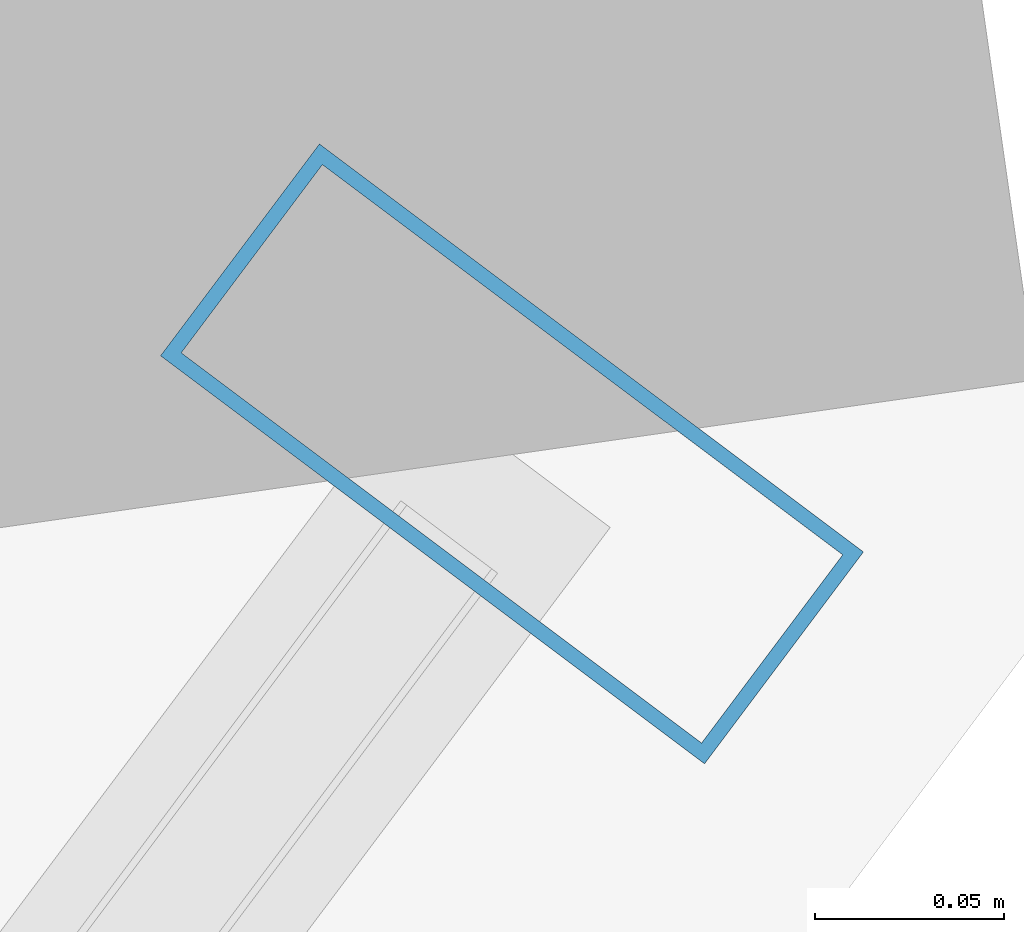
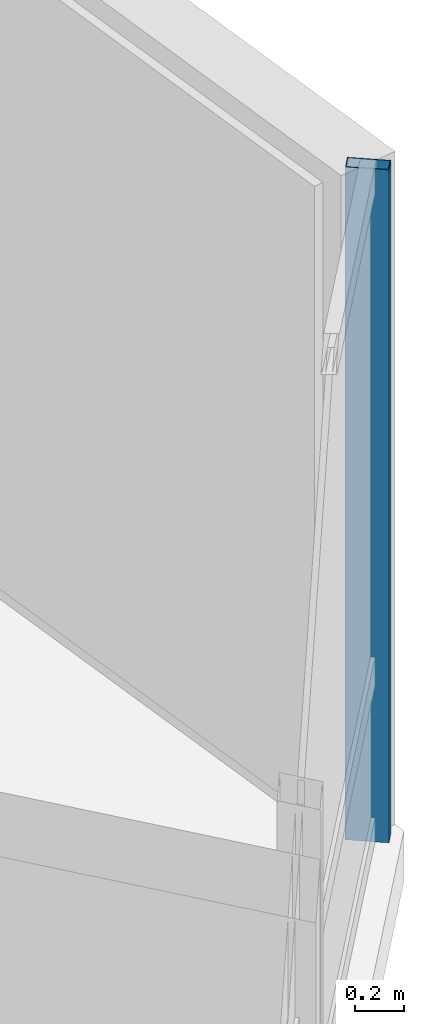
# One storey, part 12 of 31: 1 member, 1 element without a shape of its own.
"""IFC4 building model written with IfcOpenShell, lengths in metres."""

from ifc_helpers import new_model, si_unit, direction, frame, origin, origin_2d, place, context, subcontext, project, spatial, hollow_rectangle, extrude, material, layer, layer_set, material_profile, profile_set, type_object, element, aggregate, save


model = new_model("IFC4")

# Units and contexts
model_context = context("Model", 3, precision=1e-05, world=origin(), true_north=direction((0.0, 1.0)))
body_context = subcontext(model_context, "Body", "Model", "MODEL_VIEW")
ifc_project = project(units=[si_unit("LENGTHUNIT", "METRE"), si_unit("AREAUNIT", "SQUARE_METRE"), si_unit("VOLUMEUNIT", "CUBIC_METRE"), si_unit("PLANEANGLEUNIT", "RADIAN"), si_unit("MASSUNIT", "GRAM", prefix="KILO")], contexts=[model_context])

# Site, building, storey
site_placement = place(None, origin())
site = spatial("IfcSite", under=ifc_project, at=site_placement, CompositionType="ELEMENT")
building_placement = place(site_placement, origin())
building = spatial("IfcBuilding", under=site, at=building_placement, Name="Hatsunagi Terrace Concourse", CompositionType="ELEMENT")
storey_placement = place(building_placement, frame((0.0, 0.0, 122.85009765625)))
storey = spatial("IfcBuildingStorey", under=building, at=storey_placement, Name="L32", CompositionType="ELEMENT", Elevation=122.85009765625)

# Curtain wall, member
ifc_material_1 = material(Name="Anodised Aluminium Alloy 6063-T5", Category="aluminium")
ifc_layer = layer(ifc_material_1, 0.199951171875)
ifc_layer_set = layer_set([ifc_layer], Name="OfficeZone1_CW03")
curtain_wall_type = type_object("IfcCurtainWallType", Name="OfficeZone1_CW03", PredefinedType="NOTDEFINED", material=ifc_layer_set)
curtain_wall_placement = place(storey_placement, origin())
curtain_wall = element("IfcCurtainWall", 1, at=curtain_wall_placement, inside=storey, type_object=curtain_wall_type, Name="Unitised Curtain Wall CW-03 CW-L32-03", PredefinedType="NOTDEFINED")
ifc_material_2 = material(Name="Anodised Aluminium Alloy 6063-T5", Category="aluminium")
ifc_material_profile = material_profile(ifc_material_2, hollow_rectangle(XDim=0.070068359375, YDim=0.179931640625, WallThickness=0.00390625, at=origin_2d()), Name="ALU-MUL-180x70x4")
ifc_profile_set = profile_set([ifc_material_profile], Name="Anodised Aluminium Alloy 6063-T5")
member_type = type_object("IfcMemberType", Name="CurtainWallMullion_180x70", PredefinedType="MULLION", material=ifc_profile_set)
member_placement = place(storey_placement, frame((69.093017578125, 19.657958984375, 0.0), z_axis=(0.0, 0.0, 1.0), x_axis=(-0.599969314634, -0.800023013105, 0.0)))
member = element("IfcMember", 2, at=member_placement, type_object=member_type, Name="Curtain Wall Mullion MUL-02", PredefinedType="MULLION", context=body_context, shape_type="SweptSolid", body=[
    extrude(hollow_rectangle(XDim=0.070068359375, YDim=0.179931640625, WallThickness=0.00390625, at=origin_2d()), origin(), (0.0, 0.0, 1.0), 3.349853515625),
])
aggregate(curtain_wall, [member])

save(model, "model.ifc")
